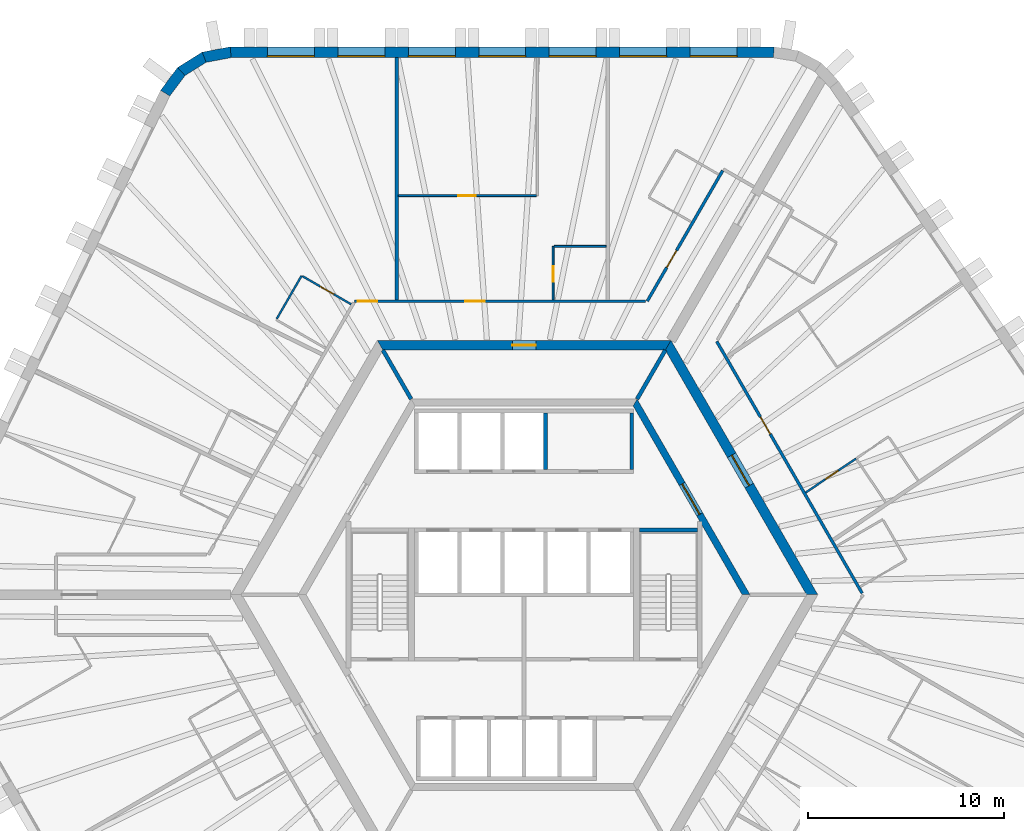
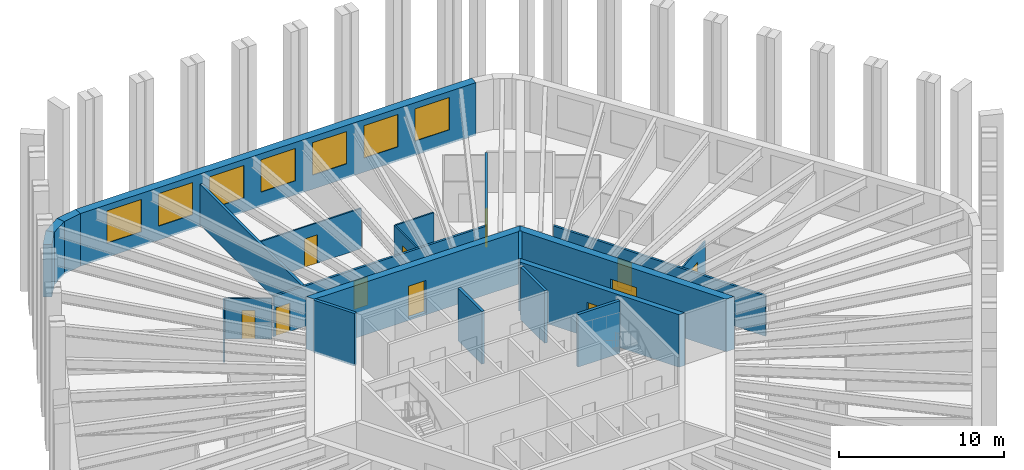
# One storey, part 8 of 11: 22 walls, 11 doors, 7 windows, 18 openings.
"""IFC4 building model written with IfcOpenShell, lengths in metres."""

from ifc_helpers import new_model, si_unit, direction, frame, frame_2d, origin, place, context, subcontext, project, spatial, polyline, rectangle, outline, extrude, material, layer, layer_set, type_object, element, fill, save


model = new_model("IFC4")

# Units and contexts
model_context = context("Model", 3, precision=1e-05, world=origin(), true_north=direction((0.0, 1.0)))
body_context = subcontext(model_context, "Body", "Model", "MODEL_VIEW")
ifc_project = project(units=[si_unit("LENGTHUNIT", "METRE"), si_unit("AREAUNIT", "SQUARE_METRE"), si_unit("VOLUMEUNIT", "CUBIC_METRE"), si_unit("PLANEANGLEUNIT", "RADIAN"), si_unit("MASSUNIT", "GRAM", prefix="KILO")], contexts=[model_context])

# Site, building, storey
site_placement = place(None, origin())
site = spatial("IfcSite", under=ifc_project, at=site_placement, CompositionType="ELEMENT")
building_placement = place(site_placement, origin())
building = spatial("IfcBuilding", under=site, at=building_placement, Name="Tarnside Tower", CompositionType="ELEMENT")
storey_placement = place(building_placement, frame((0.0, 0.0, 183.89990234375)))
storey = spatial("IfcBuildingStorey", under=building, at=storey_placement, Name="L43", CompositionType="ELEMENT", Elevation=183.89990234375)

# Wall, opening, door
ifc_material_1 = material(Name="Gypsum board partition on steel studs", Category="steel")
ifc_layer_1 = layer(ifc_material_1, 0.10009765625)
ifc_layer_set_1 = layer_set([ifc_layer_1], Name="Bathroom wall 100")
wall_type_1 = type_object("IfcWallType", Name="Bathroom wall 100", PredefinedType="PARTITIONING", material=ifc_layer_set_1)
wall_1_placement = place(storey_placement, frame((1.482177734375, 15.074951171875, 0.0), z_axis=(0.0, 0.0, 1.0), x_axis=(0.0, 1.0, 0.0)))
wall_1 = element("IfcWall", 1, at=wall_1_placement, inside=storey, type_object=wall_type_1, Name="Bathroom wall 14058", PredefinedType="PARTITIONING", context=body_context, shape_type="SweptSolid", body=[
    extrude(rectangle(XDim=2.72509765625, YDim=0.10009765625, at=frame_2d((1.362548828125, 0.0))), origin(), (0.0, 0.0, 1.0), 2.98779296875),
])
opening_1_placement = place(wall_1_placement, frame((0.925048828125, 0.0, 0.0)))
opening_1 = element("IfcOpeningElement", 2, at=opening_1_placement, cuts=wall_1, Name="Opening D-B1", PredefinedType="OPENING", context=body_context, shape_type="SweptSolid", body=[
    extrude(rectangle(XDim=0.800048828125, YDim=2.10009765625, at=frame_2d((0.39990234375, 1.050048828125))), frame((0.0, 0.06005859375, 0.0), z_axis=(0.0, -1.0, 0.0), x_axis=(1.0, 0.0, 0.0)), (0.0, 0.0, 1.0), 0.1201171875),
])
ifc_material_2 = material(Name="Timber door leaf", Category="wood")
door_type_1 = type_object("IfcDoorType", Name="Bathroom door 800", OperationType="NOTDEFINED", PredefinedType="DOOR", material=ifc_material_2)
door_1_placement = place(opening_1_placement, origin())
door_1 = element("IfcDoor", 3, at=door_1_placement, inside=storey, type_object=door_type_1, Name="Bathroom door 14004", OperationType="SINGLE_SWING_RIGHT", OverallHeight=2.10009765625, OverallWidth=0.800048828125, PredefinedType="DOOR", context=body_context, shape_type="SweptSolid", body=[
    extrude(rectangle(XDim=0.800048828125, YDim=2.10009765625, at=frame_2d((0.39990234375, 1.050048828125))), frame((0.0, 0.02490234375, 0.0), z_axis=(0.0, -1.0, 0.0), x_axis=(1.0, 0.0, 0.0)), (0.0, 0.0, 1.0), 0.050048828125),
])
fill(opening_1, door_1)

# Walls
wall_2_placement = place(storey_placement, frame((1.5322265625, 17.800048828125, 0.0), z_axis=(0.0, 0.0, 1.0), x_axis=(1.0, 0.0, 0.0)))
element("IfcWall", 4, at=wall_2_placement, inside=storey, type_object=wall_type_1, Name="Bathroom wall 14059", PredefinedType="PARTITIONING", context=body_context, shape_type="SweptSolid", body=[
    extrude(rectangle(XDim=2.659912109375, YDim=0.10009765625, at=frame_2d((1.330078125, 0.0))), origin(), (0.0, 0.0, 1.0), 2.98779296875),
])
wall_3_placement = place(storey_placement, frame((-12.64599609375, 14.096435546875, 0.0), z_axis=(0.0, 0.0, 1.0), x_axis=(0.500020783669, 0.866013403995, 0.0)))
element("IfcWall", 5, at=wall_3_placement, inside=storey, type_object=wall_type_1, Name="Bathroom wall 14065", PredefinedType="PARTITIONING", context=body_context, shape_type="SweptSolid", body=[
    extrude(rectangle(XDim=2.55029296875, YDim=0.10009765625, at=frame_2d((1.275146484375, 0.0))), origin(), (0.0, 0.0, 1.0), 2.98779296875),
])

# Wall, opening, door
wall_4_placement = place(storey_placement, frame((-11.32763671875, 16.280029296875, 0.0), z_axis=(0.0, 0.0, 1.0), x_axis=(0.865981939951, -0.500075274012, 0.0)))
wall_4 = element("IfcWall", 6, at=wall_4_placement, inside=storey, type_object=wall_type_1, Name="Bathroom wall 14066", PredefinedType="PARTITIONING", context=body_context, shape_type="SweptSolid", body=[
    extrude(rectangle(XDim=2.875, YDim=0.10009765625, at=frame_2d((1.4375, 0.0))), origin(), (0.0, 0.0, 1.0), 2.98779296875),
])
opening_2_placement = place(wall_4_placement, frame((1.050048828125, 0.0, 0.0)))
opening_2 = element("IfcOpeningElement", 7, at=opening_2_placement, cuts=wall_4, Name="Opening D-B1", PredefinedType="OPENING", context=body_context, shape_type="SweptSolid", body=[
    extrude(rectangle(XDim=0.800048828125, YDim=2.10009765625, at=frame_2d((0.39990234375, 1.050048828125))), frame((0.0, 0.06005859375, 0.0), z_axis=(0.0, -1.0, 0.0), x_axis=(1.0, 0.0, 0.0)), (0.0, 0.0, 1.0), 0.1201171875),
])
door_2_placement = place(opening_2_placement, origin())
door_2 = element("IfcDoor", 8, at=door_2_placement, inside=storey, type_object=door_type_1, Name="Bathroom door 14007", OperationType="SINGLE_SWING_LEFT", OverallHeight=2.10009765625, OverallWidth=0.800048828125, PredefinedType="DOOR", context=body_context, shape_type="SweptSolid", body=[
    extrude(rectangle(XDim=0.800048828125, YDim=2.10009765625, at=frame_2d((0.39990234375, 1.050048828125))), frame((0.0, 0.02490234375, 0.0), z_axis=(0.0, -1.0, 0.0), x_axis=(1.0, 0.0, 0.0)), (0.0, 0.0, 1.0), 0.050048828125),
])
fill(opening_2, door_2)

wall_5_placement = place(storey_placement, frame((14.391845703125, 5.22265625, 0.0), z_axis=(0.0, 0.0, 1.0), x_axis=(0.829015360708, 0.559225832477, 0.0)))
wall_5 = element("IfcWall", 9, at=wall_5_placement, inside=storey, type_object=wall_type_1, Name="Bathroom wall 14120", PredefinedType="PARTITIONING", context=body_context, shape_type="SweptSolid", body=[
    extrude(rectangle(XDim=3.106689453125, YDim=0.10009765625, at=frame_2d((1.55322265625, 0.0))), origin(), (0.0, 0.0, 1.0), 2.98779296875),
])
opening_3_placement = place(wall_5_placement, frame((1.20654296875, 0.0, 0.0)))
opening_3 = element("IfcOpeningElement", 10, at=opening_3_placement, cuts=wall_5, Name="Opening D-B1", PredefinedType="OPENING", context=body_context, shape_type="SweptSolid", body=[
    extrude(rectangle(XDim=0.800048828125, YDim=2.10009765625, at=frame_2d((0.39990234375, 1.050048828125))), frame((0.0, 0.06005859375, 0.0), z_axis=(0.0, -1.0, 0.0), x_axis=(1.0, 0.0, 0.0)), (0.0, 0.0, 1.0), 0.1201171875),
])
door_3_placement = place(opening_3_placement, origin())
door_3 = element("IfcDoor", 11, at=door_3_placement, inside=storey, type_object=door_type_1, Name="Bathroom door 14034", OperationType="SINGLE_SWING_LEFT", OverallHeight=2.10009765625, OverallWidth=0.800048828125, PredefinedType="DOOR", context=body_context, shape_type="SweptSolid", body=[
    extrude(rectangle(XDim=0.800048828125, YDim=2.10009765625, at=frame_2d((0.39990234375, 1.050048828125))), frame((0.0, 0.02490234375, 0.0), z_axis=(0.0, -1.0, 0.0), x_axis=(1.0, 0.0, 0.0)), (0.0, 0.0, 1.0), 0.050048828125),
])
fill(opening_3, door_3)

ifc_material_3 = material(Name="Concrete C50/60", Category="concrete")
ifc_layer_2 = layer(ifc_material_3, 0.35009765625)
ifc_layer_set_2 = layer_set([ifc_layer_2], Name="Core block wall 350 C50/60")
wall_type_2 = type_object("IfcWallType", Name="Core block wall 350 C50/60", PredefinedType="SHEAR", material=ifc_layer_set_2)
wall_6_placement = place(storey_placement, frame((11.344970703125, 0.0, -0.14990234375), z_axis=(0.0, 0.0, 1.0), x_axis=(-0.499995046907, 0.866028263435, 0.0)))
wall_6 = element("IfcWall", 12, at=wall_6_placement, inside=storey, type_object=wall_type_2, Name="L43 core block wall face 6", PredefinedType="SHEAR", context=body_context, shape_type="SweptSolid", body=[
    extrude(outline(polyline([(-0.10107421875, -0.175048828125), (11.44580078125, -0.175048828125), (11.24365234375, 0.175048828125), (0.10107421875, 0.175048828125), (-0.10107421875, -0.175048828125)])), origin(), (0.0, 0.0, 1.0), 3.89990234375),
])
opening_4_placement = place(wall_6_placement, frame((4.74365234375, 0.0, 0.14990234375)))
opening_4 = element("IfcOpeningElement", 13, at=opening_4_placement, cuts=wall_6, Name="Opening CD-LOB", PredefinedType="OPENING", context=body_context, shape_type="SweptSolid", body=[
    extrude(rectangle(XDim=1.800048828125, YDim=2.39990234375, at=frame_2d((0.89990234375, 1.199951171875))), frame((0.0, 0.18505859375, 0.0), z_axis=(0.0, -1.0, 0.0), x_axis=(1.0, 0.0, 0.0)), (0.0, 0.0, 1.0), 0.3701171875),
])
ifc_material_4 = material(Name="Steel fire door", Category="steel")
door_type_2 = type_object("IfcDoorType", Name="Lobby double door FD30S 1800x2400", OperationType="NOTDEFINED", PredefinedType="DOOR", material=ifc_material_4)
door_4_placement = place(opening_4_placement, origin())
door_4 = element("IfcDoor", 14, at=door_4_placement, inside=storey, type_object=door_type_2, Name="L43 lobby block door P2", OperationType="DOUBLE_DOOR_SINGLE_SWING", OverallHeight=2.39990234375, OverallWidth=1.800048828125, PredefinedType="DOOR", context=body_context, shape_type="SweptSolid", body=[
    extrude(rectangle(XDim=1.800048828125, YDim=2.39990234375, at=frame_2d((0.89990234375, 1.199951171875))), frame((0.0, 0.02490234375, 0.0), z_axis=(0.0, -1.0, 0.0), x_axis=(1.0, 0.0, 0.0)), (0.0, 0.0, 1.0), 0.050048828125),
])
fill(opening_4, door_4)

ifc_material_5 = material(Name="Concrete C70/85", Category="concrete")
ifc_layer_3 = layer(ifc_material_5, 0.5)
ifc_layer_set_3 = layer_set([ifc_layer_3], Name="Core wall Z2 500 C70/85")
wall_type_3 = type_object("IfcWallType", Name="Core wall Z2 500 C70/85", PredefinedType="SHEAR", material=ifc_layer_set_3)
wall_7_placement = place(storey_placement, frame((14.722412109375, 0.0, -0.14990234375), z_axis=(0.0, 0.0, 1.0), x_axis=(-0.50000571537, 0.866022103989, 0.0)))
wall_7 = element("IfcWall", 15, at=wall_7_placement, inside=storey, type_object=wall_type_3, Name="L43 core wall face 6", PredefinedType="SHEAR", context=body_context, shape_type="SweptSolid", body=[
    extrude(outline(polyline([(-0.144287109375, -0.25), (14.86669921875, -0.25), (14.578125, 0.25), (0.144287109375, 0.25), (-0.144287109375, -0.25)])), origin(), (0.0, 0.0, 1.0), 3.89990234375),
])
opening_5_placement = place(wall_7_placement, frame((6.432373046875, 0.0, 0.14990234375)))
opening_5 = element("IfcOpeningElement", 16, at=opening_5_placement, cuts=wall_7, Name="Opening CD-LOB", PredefinedType="OPENING", context=body_context, shape_type="SweptSolid", body=[
    extrude(rectangle(XDim=1.800048828125, YDim=2.39990234375, at=frame_2d((0.89990234375, 1.199951171875))), frame((0.0, 0.260009765625, 0.0), z_axis=(0.0, -1.0, 0.0), x_axis=(1.0, 0.0, 0.0)), (0.0, 0.0, 1.0), 0.52001953125),
])
door_5_placement = place(opening_5_placement, origin())
door_5 = element("IfcDoor", 17, at=door_5_placement, inside=storey, type_object=door_type_2, Name="L43 core door P2", OperationType="DOUBLE_DOOR_SINGLE_SWING", OverallHeight=2.39990234375, OverallWidth=1.800048828125, PredefinedType="DOOR", context=body_context, shape_type="SweptSolid", body=[
    extrude(rectangle(XDim=1.800048828125, YDim=2.39990234375, at=frame_2d((0.89990234375, 1.199951171875))), frame((0.0, 0.02490234375, 0.0), z_axis=(0.0, -1.0, 0.0), x_axis=(1.0, 0.0, 0.0)), (0.0, 0.0, 1.0), 0.050048828125),
])
fill(opening_5, door_5)

wall_8_placement = place(storey_placement, frame((7.361083984375, 12.75, -0.14990234375), z_axis=(0.0, 0.0, 1.0), x_axis=(-1.0, 0.0, 0.0)))
wall_8 = element("IfcWall", 18, at=wall_8_placement, inside=storey, type_object=wall_type_3, Name="L43 core wall face 1", PredefinedType="SHEAR", context=body_context, shape_type="SweptSolid", body=[
    extrude(outline(polyline([(-0.144287109375, -0.25), (14.866455078125, -0.25), (14.577880859375, 0.25), (0.144287109375, 0.25), (-0.144287109375, -0.25)])), origin(), (0.0, 0.0, 1.0), 3.89990234375),
])
opening_6_placement = place(wall_8_placement, frame((6.76123046875, 0.0, 0.14990234375)))
opening_6 = element("IfcOpeningElement", 19, at=opening_6_placement, cuts=wall_8, Name="Opening CD-RSR", PredefinedType="OPENING", context=body_context, shape_type="SweptSolid", body=[
    extrude(rectangle(XDim=1.199951171875, YDim=2.39990234375, at=frame_2d((0.60009765625, 1.199951171875))), frame((0.0, 0.260009765625, 0.0), z_axis=(0.0, -1.0, 0.0), x_axis=(1.0, 0.0, 0.0)), (0.0, 0.0, 1.0), 0.52001953125),
])
door_type_3 = type_object("IfcDoorType", Name="Riser door FD60 1200x2400", OperationType="NOTDEFINED", PredefinedType="DOOR", material=ifc_material_4)
door_6_placement = place(opening_6_placement, origin())
door_6 = element("IfcDoor", 20, at=door_6_placement, inside=storey, type_object=door_type_3, Name="L43 core door S5", OperationType="SINGLE_SWING_LEFT", OverallHeight=2.39990234375, OverallWidth=1.199951171875, PredefinedType="DOOR", context=body_context, shape_type="SweptSolid", body=[
    extrude(rectangle(XDim=1.199951171875, YDim=2.39990234375, at=frame_2d((0.60009765625, 1.199951171875))), frame((0.0, 0.02490234375, 0.0), z_axis=(0.0, -1.0, 0.0), x_axis=(1.0, 0.0, 0.0)), (0.0, 0.0, 1.0), 0.050048828125),
])
fill(opening_6, door_6)

ifc_layer_4 = layer(ifc_material_1, 0.14990234375)
ifc_layer_set_4 = layer_set([ifc_layer_4], Name="Corridor wall 150 EI 60")
wall_type_4 = type_object("IfcWallType", Name="Corridor wall 150 EI 60", PredefinedType="PARTITIONING", material=ifc_layer_set_4)
wall_9_placement = place(storey_placement, frame((10.148681640625, 21.677978515625, 0.0), z_axis=(0.0, 0.0, 1.0), x_axis=(-0.499993780622, -0.866028994514, 0.0)))
wall_9 = element("IfcWall", 21, at=wall_9_placement, inside=storey, type_object=wall_type_4, Name="Corridor wall 14001", PredefinedType="PARTITIONING", context=body_context, shape_type="SweptSolid", body=[
    extrude(rectangle(XDim=7.7109375, YDim=0.14990234375, at=frame_2d((3.85546875, 0.0))), origin(), (0.0, 0.0, 1.0), 2.98779296875),
])
opening_7_placement = place(wall_9_placement, frame((4.718017578125, 0.0, 0.0)))
opening_7 = element("IfcOpeningElement", 22, at=opening_7_placement, cuts=wall_9, Name="Opening D-E1", PredefinedType="OPENING", context=body_context, shape_type="SweptSolid", body=[
    extrude(rectangle(XDim=1.0, YDim=2.10009765625, at=frame_2d((0.5, 1.050048828125))), frame((0.0, 0.0849609375, 0.0), z_axis=(0.0, -1.0, 0.0), x_axis=(1.0, 0.0, 0.0)), (0.0, 0.0, 1.0), 0.169921875),
])
door_type_4 = type_object("IfcDoorType", Name="Unit entrance door 1000 FD30S", OperationType="NOTDEFINED", PredefinedType="DOOR", material=ifc_material_2)
door_7_placement = place(opening_7_placement, origin())
door_7 = element("IfcDoor", 23, at=door_7_placement, inside=storey, type_object=door_type_4, Name="Unit door 14001", OperationType="SINGLE_SWING_LEFT", OverallHeight=2.10009765625, OverallWidth=1.0, PredefinedType="DOOR", context=body_context, shape_type="SweptSolid", body=[
    extrude(rectangle(XDim=1.0, YDim=2.10009765625, at=frame_2d((0.5, 1.050048828125))), frame((0.0, 0.02490234375, 0.0), z_axis=(0.0, -1.0, 0.0), x_axis=(1.0, 0.0, 0.0)), (0.0, 0.0, 1.0), 0.050048828125),
])
fill(opening_7, door_7)

# Wall, openings, doors
wall_10_placement = place(storey_placement, frame((6.20654296875, 15.0, 0.0), z_axis=(0.0, 0.0, 1.0), x_axis=(-1.0, 0.0, 0.0)))
wall_10 = element("IfcWall", 24, at=wall_10_placement, inside=storey, type_object=wall_type_4, Name="Corridor wall 14002", PredefinedType="PARTITIONING", context=body_context, shape_type="SweptSolid", body=[
    extrude(rectangle(XDim=14.86669921875, YDim=0.14990234375, at=frame_2d((7.433349609375, 0.0))), origin(), (0.0, 0.0, 1.0), 2.98779296875),
])
opening_8_placement = place(wall_10_placement, frame((8.224365234375, 0.0, 0.0)))
opening_8 = element("IfcOpeningElement", 25, at=opening_8_placement, cuts=wall_10, Name="Opening D-E1", PredefinedType="OPENING", context=body_context, shape_type="SweptSolid", body=[
    extrude(rectangle(XDim=1.0, YDim=2.10009765625, at=frame_2d((0.5, 1.050048828125))), frame((0.0, 0.0849609375, 0.0), z_axis=(0.0, -1.0, 0.0), x_axis=(1.0, 0.0, 0.0)), (0.0, 0.0, 1.0), 0.169921875),
])
opening_9_placement = place(wall_10_placement, frame((13.716796875, 0.0, 0.0)))
opening_9 = element("IfcOpeningElement", 26, at=opening_9_placement, cuts=wall_10, Name="Opening D-E1", PredefinedType="OPENING", context=body_context, shape_type="SweptSolid", body=[
    extrude(rectangle(XDim=1.0, YDim=2.10009765625, at=frame_2d((0.5, 1.050048828125))), frame((0.0, 0.0849609375, 0.0), z_axis=(0.0, -1.0, 0.0), x_axis=(1.0, 0.0, 0.0)), (0.0, 0.0, 1.0), 0.169921875),
])
door_8_placement = place(opening_8_placement, origin())
door_8 = element("IfcDoor", 27, at=door_8_placement, inside=storey, type_object=door_type_4, Name="Unit door 14003", OperationType="SINGLE_SWING_RIGHT", OverallHeight=2.10009765625, OverallWidth=1.0, PredefinedType="DOOR", context=body_context, shape_type="SweptSolid", body=[
    extrude(rectangle(XDim=1.0, YDim=2.10009765625, at=frame_2d((0.5, 1.050048828125))), frame((0.0, 0.02490234375, 0.0), z_axis=(0.0, -1.0, 0.0), x_axis=(1.0, 0.0, 0.0)), (0.0, 0.0, 1.0), 0.050048828125),
])
fill(opening_8, door_8)
door_9_placement = place(opening_9_placement, origin())
door_9 = element("IfcDoor", 28, at=door_9_placement, inside=storey, type_object=door_type_4, Name="Unit door 14006", OperationType="SINGLE_SWING_LEFT", OverallHeight=2.10009765625, OverallWidth=1.0, PredefinedType="DOOR", context=body_context, shape_type="SweptSolid", body=[
    extrude(rectangle(XDim=1.0, YDim=2.10009765625, at=frame_2d((0.5, 1.050048828125))), frame((0.0, 0.02490234375, 0.0), z_axis=(0.0, -1.0, 0.0), x_axis=(1.0, 0.0, 0.0)), (0.0, 0.0, 1.0), 0.050048828125),
])
fill(opening_9, door_9)

# Wall, opening, door
wall_11_placement = place(storey_placement, frame((17.277099609375, 0.074951171875, 0.0), z_axis=(0.0, 0.0, 1.0), x_axis=(-0.499998228944, 0.866026426302, 0.0)))
wall_11 = element("IfcWall", 29, at=wall_11_placement, inside=storey, type_object=wall_type_4, Name="Corridor wall 14042", PredefinedType="PARTITIONING", context=body_context, shape_type="SweptSolid", body=[
    extrude(rectangle(XDim=14.86669921875, YDim=0.14990234375, at=frame_2d((7.433349609375, 0.0))), origin(), (0.0, 0.0, 1.0), 2.98779296875),
])
opening_10_placement = place(wall_11_placement, frame((9.3984375, 0.0, 0.0)))
opening_10 = element("IfcOpeningElement", 30, at=opening_10_placement, cuts=wall_11, Name="Opening D-E1", PredefinedType="OPENING", context=body_context, shape_type="SweptSolid", body=[
    extrude(rectangle(XDim=1.0, YDim=2.10009765625, at=frame_2d((0.5, 1.050048828125))), frame((0.0, 0.0849609375, 0.0), z_axis=(0.0, -1.0, 0.0), x_axis=(1.0, 0.0, 0.0)), (0.0, 0.0, 1.0), 0.169921875),
])
door_10_placement = place(opening_10_placement, origin())
door_10 = element("IfcDoor", 31, at=door_10_placement, inside=storey, type_object=door_type_4, Name="Unit door 14033", OperationType="SINGLE_SWING_RIGHT", OverallHeight=2.10009765625, OverallWidth=1.0, PredefinedType="DOOR", context=body_context, shape_type="SweptSolid", body=[
    extrude(rectangle(XDim=1.0, YDim=2.10009765625, at=frame_2d((0.5, 1.050048828125))), frame((0.0, 0.02490234375, 0.0), z_axis=(0.0, -1.0, 0.0), x_axis=(1.0, 0.0, 0.0)), (0.0, 0.0, 1.0), 0.050048828125),
])
fill(opening_10, door_10)

# Walls
ifc_layer_5 = layer(ifc_material_1, 0.179931640625)
ifc_layer_set_5 = layer_set([ifc_layer_5], Name="Demising wall 180 EI 60")
wall_type_5 = type_object("IfcWallType", Name="Demising wall 180 EI 60", PredefinedType="PARTITIONING", material=ifc_layer_set_5)
wall_12_placement = place(storey_placement, frame((-6.517822265625, 27.449951171875, 0.0), z_axis=(0.0, 0.0, 1.0), x_axis=(0.0, -1.0, 0.0)))
element("IfcWall", 32, at=wall_12_placement, inside=storey, type_object=wall_type_5, Name="Demising wall 14062", PredefinedType="PARTITIONING", context=body_context, shape_type="SweptSolid", body=[
    extrude(rectangle(XDim=12.375, YDim=0.179931640625, at=frame_2d((6.1875, 0.0))), origin(), (0.0, 0.0, 1.0), 2.98779296875),
])
ifc_material_6 = material(Name="Concrete C40/50", Category="concrete")
ifc_layer_6 = layer(ifc_material_6, 0.199951171875)
ifc_layer_set_6 = layer_set([ifc_layer_6], Name="Lift shaft wall 200 C40/50")
wall_type_6 = type_object("IfcWallType", Name="Lift shaft wall 200 C40/50", PredefinedType="SHEAR", material=ifc_layer_set_6)
for number, where, z_axis, x_axis, name in (
    (33, (1.10009765625, 6.39990234375, -0.25), (0.0, 0.0, 1.0), (0.0, 1.0, 0.0), "L43 lift shaft partition R14"),
    (34, (5.5, 6.39990234375, -0.25), (0.0, 0.0, 1.0), (0.0, 1.0, 0.0), "L43 lift shaft partition R16"),
):
    element("IfcWall", number, at=place(storey_placement, frame(where, z_axis=z_axis, x_axis=x_axis)), inside=storey, type_object=wall_type_6, Name=name, PredefinedType="SHEAR", context=body_context, shape_type="SweptSolid", body=[
        extrude(rectangle(XDim=2.900146484375, YDim=0.199951171875, at=frame_2d((1.4501953125, 0.0))), origin(), (0.0, 0.0, 1.0), 3.900146484375),
    ])
for number, where, z_axis, x_axis, name in (
    (35, (5.7734375, 10.0, -0.14990234375), (0.0, 0.0, 1.0), (0.499995765644, 0.866027848477, 0.0), "L43 core partition AR60"),
    (36, (-5.7734375, 10.0, -0.14990234375), (0.0, 0.0, 1.0), (-0.499995765644, 0.866027848477, 0.0), "L43 core partition AR120"),
):
    element("IfcWall", number, at=place(storey_placement, frame(where, z_axis=z_axis, x_axis=x_axis)), inside=storey, type_object=wall_type_6, Name=name, PredefinedType="SHEAR", context=body_context, shape_type="SweptSolid", body=[
        extrude(rectangle(XDim=2.88671875, YDim=0.199951171875, at=frame_2d((1.443359375, 0.0))), origin(), (0.0, 0.0, 1.0), 3.89990234375),
    ])
wall_13_placement = place(storey_placement, frame((5.89990234375, 3.300048828125, -0.25), z_axis=(0.0, 0.0, 1.0), x_axis=(1.0, 0.0, 0.0)))
element("IfcWall", 37, at=wall_13_placement, inside=storey, type_object=wall_type_6, Name="L43 stair 1 enclosure cap wall n", PredefinedType="SHEAR", context=body_context, shape_type="SweptSolid", body=[
    extrude(rectangle(XDim=2.9501953125, YDim=0.199951171875, at=frame_2d((1.47509765625, 0.0))), origin(), (0.0, 0.0, 1.0), 3.900146484375),
])

# Wall, opening, door
ifc_layer_7 = layer(ifc_material_1, 0.10009765625)
ifc_layer_set_7 = layer_set([ifc_layer_7], Name="Partition 100")
wall_type_7 = type_object("IfcWallType", Name="Partition 100", PredefinedType="PARTITIONING", material=ifc_layer_set_7)
wall_14_placement = place(storey_placement, frame((0.632080078125, 20.39990234375, 0.0), z_axis=(0.0, 0.0, 1.0), x_axis=(-1.0, 0.0, 0.0)))
wall_14 = element("IfcWall", 38, at=wall_14_placement, inside=storey, type_object=wall_type_7, Name="Partition wall 14061", PredefinedType="PARTITIONING", context=body_context, shape_type="SweptSolid", body=[
    extrude(rectangle(XDim=7.06005859375, YDim=0.10009765625, at=frame_2d((3.530029296875, 0.0))), origin(), (0.0, 0.0, 1.0), 2.98779296875),
])
opening_11_placement = place(wall_14_placement, frame((3.10009765625, 0.0, 0.0)))
opening_11 = element("IfcOpeningElement", 39, at=opening_11_placement, cuts=wall_14, Name="Opening D-I1", PredefinedType="OPENING", context=body_context, shape_type="SweptSolid", body=[
    extrude(rectangle(XDim=0.89990234375, YDim=2.10009765625, at=frame_2d((0.449951171875, 1.050048828125))), frame((0.0, 0.06005859375, 0.0), z_axis=(0.0, -1.0, 0.0), x_axis=(1.0, 0.0, 0.0)), (0.0, 0.0, 1.0), 0.1201171875),
])
door_type_5 = type_object("IfcDoorType", Name="Internal door 900", OperationType="NOTDEFINED", PredefinedType="DOOR", material=ifc_material_2)
door_11_placement = place(opening_11_placement, origin())
door_11 = element("IfcDoor", 40, at=door_11_placement, inside=storey, type_object=door_type_5, Name="Internal door 14005", OperationType="SINGLE_SWING_LEFT", OverallHeight=2.10009765625, OverallWidth=0.89990234375, PredefinedType="DOOR", context=body_context, shape_type="SweptSolid", body=[
    extrude(rectangle(XDim=0.89990234375, YDim=2.10009765625, at=frame_2d((0.449951171875, 1.050048828125))), frame((0.0, 0.02490234375, 0.0), z_axis=(0.0, -1.0, 0.0), x_axis=(1.0, 0.0, 0.0)), (0.0, 0.0, 1.0), 0.050048828125),
])
fill(opening_11, door_11)

# Wall, openings, windows
ifc_material_7 = material(Name="Facing brick", Category="masonry")
ifc_layer_8 = layer(ifc_material_7, 0.10205078125)
ifc_material_8 = material(Name="Concrete C60/75 precast", Category="concrete")
ifc_layer_9 = layer(ifc_material_8, 0.347900390625)
ifc_material_9 = material(Name="Mineral wool insulation")
ifc_layer_10 = layer(ifc_material_9, 0.10009765625)
ifc_layer_set_8 = layer_set([ifc_layer_8, ifc_layer_9, ifc_layer_10], Name="Tube wall 550 brick faced")
wall_type_8 = type_object("IfcWallType", Name="Tube wall 550 brick faced", PredefinedType="SOLIDWALL", material=ifc_layer_set_8)
wall_15_placement = place(storey_placement, frame((12.760986328125, 27.72509765625, -0.14990234375), z_axis=(0.0, 0.0, 1.0), x_axis=(-1.0, 0.0, 0.0)))
wall_15 = element("IfcWall", 41, at=wall_15_placement, inside=storey, type_object=wall_type_8, Name="Tube wall L43 F1 flush 00", PredefinedType="SOLIDWALL", context=body_context, shape_type="SweptSolid", body=[
    extrude(outline(polyline([(-0.0224609375, -0.27490234375), (27.783447265625, -0.27490234375), (27.732177734375, 0.27490234375), (0.0224609375, 0.27490234375), (-0.0224609375, -0.27490234375)])), origin(), (0.0, 0.0, 1.0), 3.89990234375),
])
opening_12_placement = place(wall_15_placement, frame((1.87890625, 0.0, 1.050048828125)))
opening_12 = element("IfcOpeningElement", 42, at=opening_12_placement, cuts=wall_15, Name="Opening WH", PredefinedType="OPENING", context=body_context, shape_type="SweptSolid", body=[
    extrude(rectangle(XDim=2.39990234375, YDim=2.39990234375, at=frame_2d((1.199951171875, 1.199951171875))), frame((0.0, 0.28515625, 0.0), z_axis=(0.0, -1.0, 0.0), x_axis=(1.0, 0.0, 0.0)), (0.0, 0.0, 1.0), 0.570068359375),
])
opening_13_placement = place(wall_15_placement, frame((5.47900390625, 0.0, 1.050048828125)))
opening_13 = element("IfcOpeningElement", 43, at=opening_13_placement, cuts=wall_15, Name="Opening WH", PredefinedType="OPENING", context=body_context, shape_type="SweptSolid", body=[
    extrude(rectangle(XDim=2.39990234375, YDim=2.39990234375, at=frame_2d((1.199951171875, 1.199951171875))), frame((0.0, 0.28515625, 0.0), z_axis=(0.0, -1.0, 0.0), x_axis=(1.0, 0.0, 0.0)), (0.0, 0.0, 1.0), 0.570068359375),
])
opening_14_placement = place(wall_15_placement, frame((9.078857421875, 0.0, 1.050048828125)))
opening_14 = element("IfcOpeningElement", 44, at=opening_14_placement, cuts=wall_15, Name="Opening WH", PredefinedType="OPENING", context=body_context, shape_type="SweptSolid", body=[
    extrude(rectangle(XDim=2.39990234375, YDim=2.39990234375, at=frame_2d((1.199951171875, 1.199951171875))), frame((0.0, 0.28515625, 0.0), z_axis=(0.0, -1.0, 0.0), x_axis=(1.0, 0.0, 0.0)), (0.0, 0.0, 1.0), 0.570068359375),
])
opening_15_placement = place(wall_15_placement, frame((12.678955078125, 0.0, 1.050048828125)))
opening_15 = element("IfcOpeningElement", 45, at=opening_15_placement, cuts=wall_15, Name="Opening WH", PredefinedType="OPENING", context=body_context, shape_type="SweptSolid", body=[
    extrude(rectangle(XDim=2.39990234375, YDim=2.39990234375, at=frame_2d((1.199951171875, 1.199951171875))), frame((0.0, 0.28515625, 0.0), z_axis=(0.0, -1.0, 0.0), x_axis=(1.0, 0.0, 0.0)), (0.0, 0.0, 1.0), 0.570068359375),
])
opening_16_placement = place(wall_15_placement, frame((16.27880859375, 0.0, 1.050048828125)))
opening_16 = element("IfcOpeningElement", 46, at=opening_16_placement, cuts=wall_15, Name="Opening WH", PredefinedType="OPENING", context=body_context, shape_type="SweptSolid", body=[
    extrude(rectangle(XDim=2.39990234375, YDim=2.39990234375, at=frame_2d((1.199951171875, 1.199951171875))), frame((0.0, 0.28515625, 0.0), z_axis=(0.0, -1.0, 0.0), x_axis=(1.0, 0.0, 0.0)), (0.0, 0.0, 1.0), 0.570068359375),
])
opening_17_placement = place(wall_15_placement, frame((19.87890625, 0.0, 1.050048828125)))
opening_17 = element("IfcOpeningElement", 47, at=opening_17_placement, cuts=wall_15, Name="Opening WH", PredefinedType="OPENING", context=body_context, shape_type="SweptSolid", body=[
    extrude(rectangle(XDim=2.39990234375, YDim=2.39990234375, at=frame_2d((1.199951171875, 1.199951171875))), frame((0.0, 0.28515625, 0.0), z_axis=(0.0, -1.0, 0.0), x_axis=(1.0, 0.0, 0.0)), (0.0, 0.0, 1.0), 0.570068359375),
])
opening_18_placement = place(wall_15_placement, frame((23.47900390625, 0.0, 1.050048828125)))
opening_18 = element("IfcOpeningElement", 48, at=opening_18_placement, cuts=wall_15, Name="Opening WH", PredefinedType="OPENING", context=body_context, shape_type="SweptSolid", body=[
    extrude(rectangle(XDim=2.39990234375, YDim=2.39990234375, at=frame_2d((1.199951171875, 1.199951171875))), frame((0.0, 0.28515625, 0.0), z_axis=(0.0, -1.0, 0.0), x_axis=(1.0, 0.0, 0.0)), (0.0, 0.0, 1.0), 0.570068359375),
])
ifc_material_10 = material(Name="Aluminium-framed double glazing", Category="aluminium")
window_type = type_object("IfcWindowType", Name="Hotel window 2400 x 2400", PartitioningType="DOUBLE_PANEL_VERTICAL", PredefinedType="WINDOW", material=ifc_material_10)
window_1_placement = place(opening_12_placement, frame((0.0, 0.205078125, 0.0)))
window_1 = element("IfcWindow", 49, at=window_1_placement, inside=storey, type_object=window_type, Name="E.WN.L43.F1.00", OverallHeight=2.39990234375, OverallWidth=2.39990234375, PartitioningType="DOUBLE_PANEL_VERTICAL", PredefinedType="WINDOW", context=body_context, shape_type="SweptSolid", body=[
    extrude(rectangle(XDim=2.39990234375, YDim=2.39990234375, at=frame_2d((1.199951171875, 1.199951171875))), frame((0.0, 0.030029296875, 0.0), z_axis=(0.0, -1.0, 0.0), x_axis=(1.0, 0.0, 0.0)), (0.0, 0.0, 1.0), 0.06005859375),
])
fill(opening_12, window_1)
window_2_placement = place(opening_13_placement, frame((0.0, 0.205078125, 0.0)))
window_2 = element("IfcWindow", 50, at=window_2_placement, inside=storey, type_object=window_type, Name="E.WN.L43.F1.01", OverallHeight=2.39990234375, OverallWidth=2.39990234375, PartitioningType="DOUBLE_PANEL_VERTICAL", PredefinedType="WINDOW", context=body_context, shape_type="SweptSolid", body=[
    extrude(rectangle(XDim=2.39990234375, YDim=2.39990234375, at=frame_2d((1.199951171875, 1.199951171875))), frame((0.0, 0.030029296875, 0.0), z_axis=(0.0, -1.0, 0.0), x_axis=(1.0, 0.0, 0.0)), (0.0, 0.0, 1.0), 0.06005859375),
])
fill(opening_13, window_2)
window_3_placement = place(opening_14_placement, frame((0.0, 0.205078125, 0.0)))
window_3 = element("IfcWindow", 51, at=window_3_placement, inside=storey, type_object=window_type, Name="E.WN.L43.F1.02", OverallHeight=2.39990234375, OverallWidth=2.39990234375, PartitioningType="DOUBLE_PANEL_VERTICAL", PredefinedType="WINDOW", context=body_context, shape_type="SweptSolid", body=[
    extrude(rectangle(XDim=2.39990234375, YDim=2.39990234375, at=frame_2d((1.199951171875, 1.199951171875))), frame((0.0, 0.030029296875, 0.0), z_axis=(0.0, -1.0, 0.0), x_axis=(1.0, 0.0, 0.0)), (0.0, 0.0, 1.0), 0.06005859375),
])
fill(opening_14, window_3)
window_4_placement = place(opening_15_placement, frame((0.0, 0.205078125, 0.0)))
window_4 = element("IfcWindow", 52, at=window_4_placement, inside=storey, type_object=window_type, Name="E.WN.L43.F1.03", OverallHeight=2.39990234375, OverallWidth=2.39990234375, PartitioningType="DOUBLE_PANEL_VERTICAL", PredefinedType="WINDOW", context=body_context, shape_type="SweptSolid", body=[
    extrude(rectangle(XDim=2.39990234375, YDim=2.39990234375, at=frame_2d((1.199951171875, 1.199951171875))), frame((0.0, 0.030029296875, 0.0), z_axis=(0.0, -1.0, 0.0), x_axis=(1.0, 0.0, 0.0)), (0.0, 0.0, 1.0), 0.06005859375),
])
fill(opening_15, window_4)
window_5_placement = place(opening_16_placement, frame((0.0, 0.205078125, 0.0)))
window_5 = element("IfcWindow", 53, at=window_5_placement, inside=storey, type_object=window_type, Name="E.WN.L43.F1.04", OverallHeight=2.39990234375, OverallWidth=2.39990234375, PartitioningType="DOUBLE_PANEL_VERTICAL", PredefinedType="WINDOW", context=body_context, shape_type="SweptSolid", body=[
    extrude(rectangle(XDim=2.39990234375, YDim=2.39990234375, at=frame_2d((1.199951171875, 1.199951171875))), frame((0.0, 0.030029296875, 0.0), z_axis=(0.0, -1.0, 0.0), x_axis=(1.0, 0.0, 0.0)), (0.0, 0.0, 1.0), 0.06005859375),
])
fill(opening_16, window_5)
window_6_placement = place(opening_17_placement, frame((0.0, 0.205078125, 0.0)))
window_6 = element("IfcWindow", 54, at=window_6_placement, inside=storey, type_object=window_type, Name="E.WN.L43.F1.05", OverallHeight=2.39990234375, OverallWidth=2.39990234375, PartitioningType="DOUBLE_PANEL_VERTICAL", PredefinedType="WINDOW", context=body_context, shape_type="SweptSolid", body=[
    extrude(rectangle(XDim=2.39990234375, YDim=2.39990234375, at=frame_2d((1.199951171875, 1.199951171875))), frame((0.0, 0.030029296875, 0.0), z_axis=(0.0, -1.0, 0.0), x_axis=(1.0, 0.0, 0.0)), (0.0, 0.0, 1.0), 0.06005859375),
])
fill(opening_17, window_6)
window_7_placement = place(opening_18_placement, frame((0.0, 0.205078125, 0.0)))
window_7 = element("IfcWindow", 55, at=window_7_placement, inside=storey, type_object=window_type, Name="E.WN.L43.F1.06", OverallHeight=2.39990234375, OverallWidth=2.39990234375, PartitioningType="DOUBLE_PANEL_VERTICAL", PredefinedType="WINDOW", context=body_context, shape_type="SweptSolid", body=[
    extrude(rectangle(XDim=2.39990234375, YDim=2.39990234375, at=frame_2d((1.199951171875, 1.199951171875))), frame((0.0, 0.030029296875, 0.0), z_axis=(0.0, -1.0, 0.0), x_axis=(1.0, 0.0, 0.0)), (0.0, 0.0, 1.0), 0.06005859375),
])
fill(opening_18, window_7)

# Walls
wall_16_placement = place(storey_placement, frame((-14.996826171875, 27.72509765625, -0.14990234375), z_axis=(0.0, 0.0, 1.0), x_axis=(-0.982705443133, -0.185175624845, 0.0)))
element("IfcWall", 56, at=wall_16_placement, inside=storey, type_object=wall_type_8, Name="Tube wall L43 F1 chord 01", PredefinedType="SOLIDWALL", context=body_context, shape_type="SweptSolid", body=[
    extrude(outline(polyline([(-0.025634765625, -0.27490234375), (1.430908203125, -0.27490234375), (1.327392578125, 0.27490234375), (0.025634765625, 0.27490234375), (-0.025634765625, -0.27490234375)])), origin(), (0.0, 0.0, 1.0), 3.89990234375),
])
wall_17_placement = place(storey_placement, frame((-16.35205078125, 27.4697265625, -0.14990234375), z_axis=(0.0, 0.0, 1.0), x_axis=(-0.848057977594, -0.5299034503, 0.0)))
element("IfcWall", 57, at=wall_17_placement, inside=storey, type_object=wall_type_8, Name="Tube wall L43 F1 chord 02", PredefinedType="SOLIDWALL", context=body_context, shape_type="SweptSolid", body=[
    extrude(outline(polyline([(-0.0517578125, -0.27490234375), (1.4306640625, -0.27490234375), (1.3271484375, 0.27490234375), (0.0517578125, 0.27490234375), (-0.0517578125, -0.27490234375)])), origin(), (0.0, 0.0, 1.0), 3.89990234375),
])
wall_18_placement = place(storey_placement, frame((-17.521484375, 26.739013671875, -0.14990234375), z_axis=(0.0, 0.0, 1.0), x_axis=(-0.597135295884, -0.802140535324, 0.0)))
element("IfcWall", 58, at=wall_18_placement, inside=storey, type_object=wall_type_8, Name="Tube wall L43 F1 chord 03", PredefinedType="SOLIDWALL", context=body_context, shape_type="SweptSolid", body=[
    extrude(outline(polyline([(-0.0517578125, -0.27490234375), (1.40478515625, -0.27490234375), (1.353515625, 0.27490234375), (0.0517578125, 0.27490234375), (-0.0517578125, -0.27490234375)])), origin(), (0.0, 0.0, 1.0), 3.89990234375),
])

save(model, "model.ifc")
